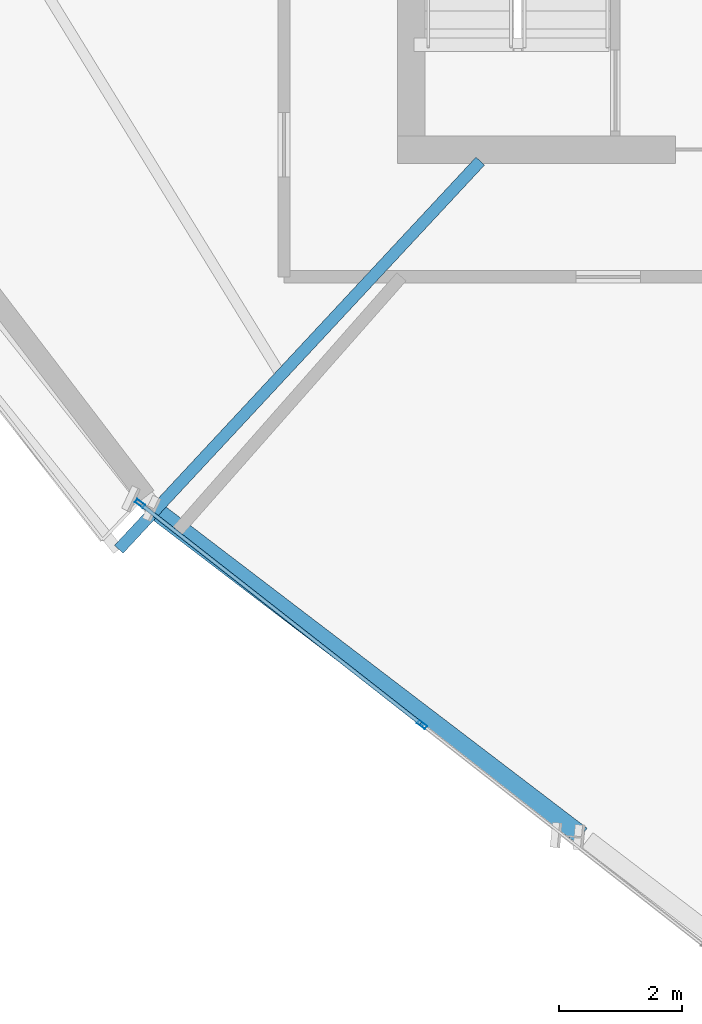
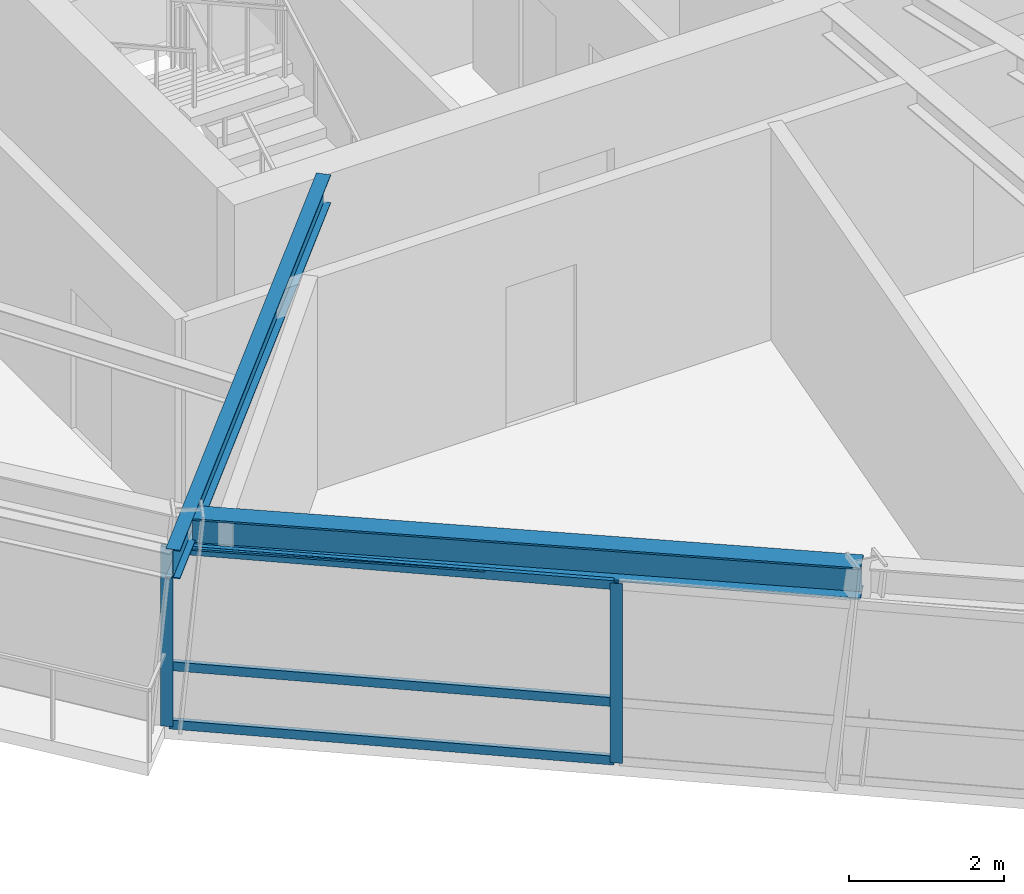
# One storey, part 2 of 14: 5 members, 2 beams, 1 element without a shape of its own.
"""IFC4 building model written with IfcOpenShell, lengths in metres."""

from ifc_helpers import new_model, si_unit, direction, frame, origin, origin_2d, place, context, subcontext, project, spatial, hollow_rectangle, i_section, extrude, source, transform, mapped, material, material_profile, profile_set, type_object, element, aggregate, save


model = new_model("IFC4")

# Units and contexts
model_context = context("Model", 3, precision=1e-05, world=origin(), true_north=direction((0.0, 1.0)))
body_context = subcontext(model_context, "Body", "Model", "MODEL_VIEW")
ifc_project = project(units=[si_unit("LENGTHUNIT", "METRE"), si_unit("AREAUNIT", "SQUARE_METRE"), si_unit("VOLUMEUNIT", "CUBIC_METRE"), si_unit("PLANEANGLEUNIT", "RADIAN"), si_unit("MASSUNIT", "GRAM", prefix="KILO")], contexts=[model_context])

# Site, building, storey
site_placement = place(None, origin())
site = spatial("IfcSite", under=ifc_project, at=site_placement, CompositionType="ELEMENT")
building_placement = place(site_placement, origin())
building = spatial("IfcBuilding", under=site, at=building_placement, Name="Olszyna Solenne Hotel", CompositionType="ELEMENT")
storey_placement = place(building_placement, frame((0.0, 0.0, 223.800048828125)))
storey = spatial("IfcBuildingStorey", under=building, at=storey_placement, Name="L59", CompositionType="ELEMENT", Elevation=223.800048828125)

# Beams
ifc_material_1 = material(Name="Steel S355J2", Category="steel")
ifc_material_profile_1 = material_profile(ifc_material_1, i_section(OverallWidth=0.300048828125, OverallDepth=0.5, WebThickness=0.014404296875, FlangeThickness=0.028076171875, at=origin_2d()), Name="HEB 500", Category="load-bearing")
ifc_profile_set_1 = profile_set([ifc_material_profile_1], Name="Steel S355J2")
beam_type_1 = type_object("IfcBeamType", Name="BM-S3", PredefinedType="BEAM", material=ifc_profile_set_1)
shared_shape_1 = source(origin(), body_context, "Body", "SweptSolid", [
    extrude(i_section(OverallWidth=0.300048828125, OverallDepth=0.5, WebThickness=0.014404296875, FlangeThickness=0.028076171875, at=origin_2d()), origin(), (0.0, 0.0, 1.0), 8.685791015625),
])
beam_1_placement = place(storey_placement, frame((25.744140625, 13.360595703125, 3.079833984375), z_axis=(0.795007606294, -0.606599460876, 0.0), x_axis=(0.606599460876, 0.795007606294, 0.0)))
element("IfcBeam", 1, at=beam_1_placement, inside=storey, type_object=beam_type_1, Name="Perimeter spandrel beam BM-S3 B-L59-1742", PredefinedType="BEAM", context=body_context, shape_type="MappedRepresentation", body=[
    mapped(shared_shape_1, transform((0.0, 0.0, 0.0), x_axis=(1.0, 0.0, 0.0), y_axis=(0.0, 1.0, 0.0), z_axis=(0.0, 0.0, 1.0), scale=1.0)),
])
ifc_material_profile_2 = material_profile(ifc_material_1, i_section(OverallWidth=0.18994140625, OverallDepth=0.449951171875, WebThickness=0.009521484375, FlangeThickness=0.0146484375, at=origin_2d()), Name="IPE 450", Category="load-bearing")
ifc_profile_set_2 = profile_set([ifc_material_profile_2], Name="Steel S355J2")
beam_type_2 = type_object("IfcBeamType", Name="BM-F4", PredefinedType="BEAM", material=ifc_profile_set_2)
shared_shape_2 = source(origin(), body_context, "Body", "SweptSolid", [
    extrude(i_section(OverallWidth=0.18994140625, OverallDepth=0.449951171875, WebThickness=0.009521484375, FlangeThickness=0.0146484375, at=origin_2d()), origin(), (0.0, 0.0, 1.0), 8.647705078125),
])
beam_2_placement = place(storey_placement, frame((25.105224609375, 12.758056640625, 3.10498046875), z_axis=(0.681489967577, 0.731827455136, 0.0), x_axis=(-0.731827455136, 0.681489967577, 0.0)))
element("IfcBeam", 2, at=beam_2_placement, inside=storey, type_object=beam_type_2, Name="Radial floor girder BM-F4 B-L59-1753", PredefinedType="BEAM", context=body_context, shape_type="MappedRepresentation", body=[
    mapped(shared_shape_2, transform((0.0, 0.0, 0.0), x_axis=(1.0, 0.0, 0.0), y_axis=(0.0, 1.0, 0.0), z_axis=(0.0, 0.0, 1.0), scale=1.0)),
])

# Curtain wall, members
ifc_material_2 = material(Name="Anodised bronze aluminium", Category="aluminium")
curtain_wall_type = type_object("IfcCurtainWallType", Name="CW-SYS-4", PredefinedType="NOTDEFINED", material=ifc_material_2)
curtain_wall_placement = place(storey_placement, origin())
curtain_wall = element("IfcCurtainWall", 3, at=curtain_wall_placement, inside=storey, type_object=curtain_wall_type, Name="Unitised curtain wall CW-SYS-4 CW-L59-01", PredefinedType="NOTDEFINED")
ifc_material_profile_3 = material_profile(ifc_material_2, hollow_rectangle(XDim=0.06494140625, YDim=0.159912109375, WallThickness=0.00390625, at=origin_2d()), Name="MULL 160x65x4", Category="load-bearing")
ifc_profile_set_3 = profile_set([ifc_material_profile_3], Name="Anodised bronze aluminium")
member_type_1 = type_object("IfcMemberType", Name="CW-M3", PredefinedType="MULLION", material=ifc_profile_set_3)
shared_shape_3 = source(origin(), body_context, "Body", "SweptSolid", [
    extrude(hollow_rectangle(XDim=0.06494140625, YDim=0.159912109375, WallThickness=0.00390625, at=origin_2d()), origin(), (0.0, 0.0, 1.0), 2.822021484375),
])
member_1_placement = place(storey_placement, frame((25.4501953125, 13.504638671875, 0.0), z_axis=(0.0, 0.0, 1.0), x_axis=(0.616851271091, 0.787079735067, 0.0)))
member_1 = element("IfcMember", 4, at=member_1_placement, type_object=member_type_1, Name="Curtain-wall mullion CW-M3 CM-L59-01-01", PredefinedType="MULLION", context=body_context, shape_type="MappedRepresentation", body=[
    mapped(shared_shape_3, transform((0.0, 0.0, 0.0), x_axis=(1.0, 0.0, 0.0), y_axis=(0.0, 1.0, 0.0), z_axis=(0.0, 0.0, 1.0), scale=1.0)),
])
member_2_placement = place(storey_placement, frame((30.04931640625, 9.900146484375, 0.0), z_axis=(0.0, 0.0, 1.0), x_axis=(0.616851271091, 0.787079735067, 0.0)))
member_2 = element("IfcMember", 5, at=member_2_placement, type_object=member_type_1, Name="Curtain-wall mullion CW-M3 CM-L59-01-02", PredefinedType="MULLION", context=body_context, shape_type="MappedRepresentation", body=[
    mapped(shared_shape_3, transform((0.0, 0.0, 0.0), x_axis=(1.0, 0.0, 0.0), y_axis=(0.0, 1.0, 0.0), z_axis=(0.0, 0.0, 1.0), scale=1.0)),
])
ifc_material_profile_4 = material_profile(ifc_material_2, hollow_rectangle(XDim=0.06494140625, YDim=0.139892578125, WallThickness=0.00390625, at=origin_2d()), Name="TRAN 140x65x4", Category="load-bearing")
ifc_profile_set_4 = profile_set([ifc_material_profile_4], Name="Anodised bronze aluminium")
member_type_2 = type_object("IfcMemberType", Name="CW-T2", PredefinedType="USERDEFINED", material=ifc_profile_set_4)
shared_shape_4 = source(origin(), body_context, "Body", "SweptSolid", [
    extrude(hollow_rectangle(XDim=0.06494140625, YDim=0.139892578125, WallThickness=0.00390625, at=origin_2d()), origin(), (0.0, 0.0, 1.0), 5.778564453125),
])
member_3_placement = place(storey_placement, frame((25.4755859375, 13.484619140625, 0.032470703125), z_axis=(0.787094721294, -0.616832148733, 0.0), x_axis=(0.616832148733, 0.787094721294, 0.0)))
member_3 = element("IfcMember", 6, at=member_3_placement, type_object=member_type_2, Name="Curtain-wall transom CW-T2 CT-L59-01-01", ObjectType="TRANSOM", PredefinedType="USERDEFINED", context=body_context, shape_type="MappedRepresentation", body=[
    mapped(shared_shape_4, transform((0.0, 0.0, 0.0), x_axis=(1.0, 0.0, 0.0), y_axis=(0.0, 1.0, 0.0), z_axis=(0.0, 0.0, 1.0), scale=1.0)),
])
member_4_placement = place(storey_placement, frame((25.4755859375, 13.484619140625, 0.949951171875), z_axis=(0.787094721294, -0.616832148733, 0.0), x_axis=(0.616832148733, 0.787094721294, 0.0)))
member_4 = element("IfcMember", 7, at=member_4_placement, type_object=member_type_2, Name="Curtain-wall transom CW-T2 CT-L59-01-02", ObjectType="TRANSOM", PredefinedType="USERDEFINED", context=body_context, shape_type="MappedRepresentation", body=[
    mapped(shared_shape_4, transform((0.0, 0.0, 0.0), x_axis=(1.0, 0.0, 0.0), y_axis=(0.0, 1.0, 0.0), z_axis=(0.0, 0.0, 1.0), scale=1.0)),
])
member_5_placement = place(storey_placement, frame((25.4755859375, 13.484619140625, 2.78955078125), z_axis=(0.787094721294, -0.616832148733, 0.0), x_axis=(0.616832148733, 0.787094721294, 0.0)))
member_5 = element("IfcMember", 8, at=member_5_placement, type_object=member_type_2, Name="Curtain-wall transom CW-T2 CT-L59-01-03", ObjectType="TRANSOM", PredefinedType="USERDEFINED", context=body_context, shape_type="MappedRepresentation", body=[
    mapped(shared_shape_4, transform((0.0, 0.0, 0.0), x_axis=(1.0, 0.0, 0.0), y_axis=(0.0, 1.0, 0.0), z_axis=(0.0, 0.0, 1.0), scale=1.0)),
])
aggregate(curtain_wall, [member_1, member_2, member_3, member_4, member_5])

save(model, "model.ifc")
